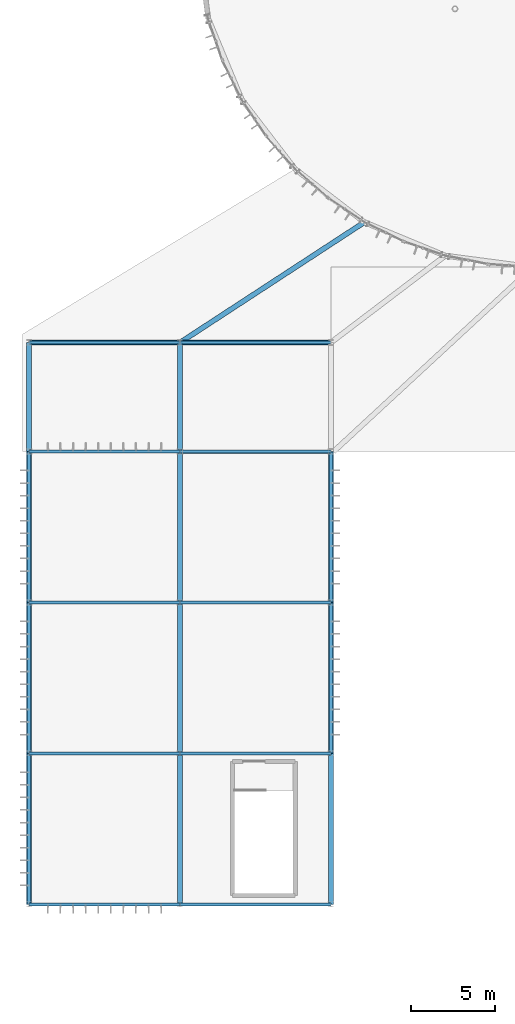
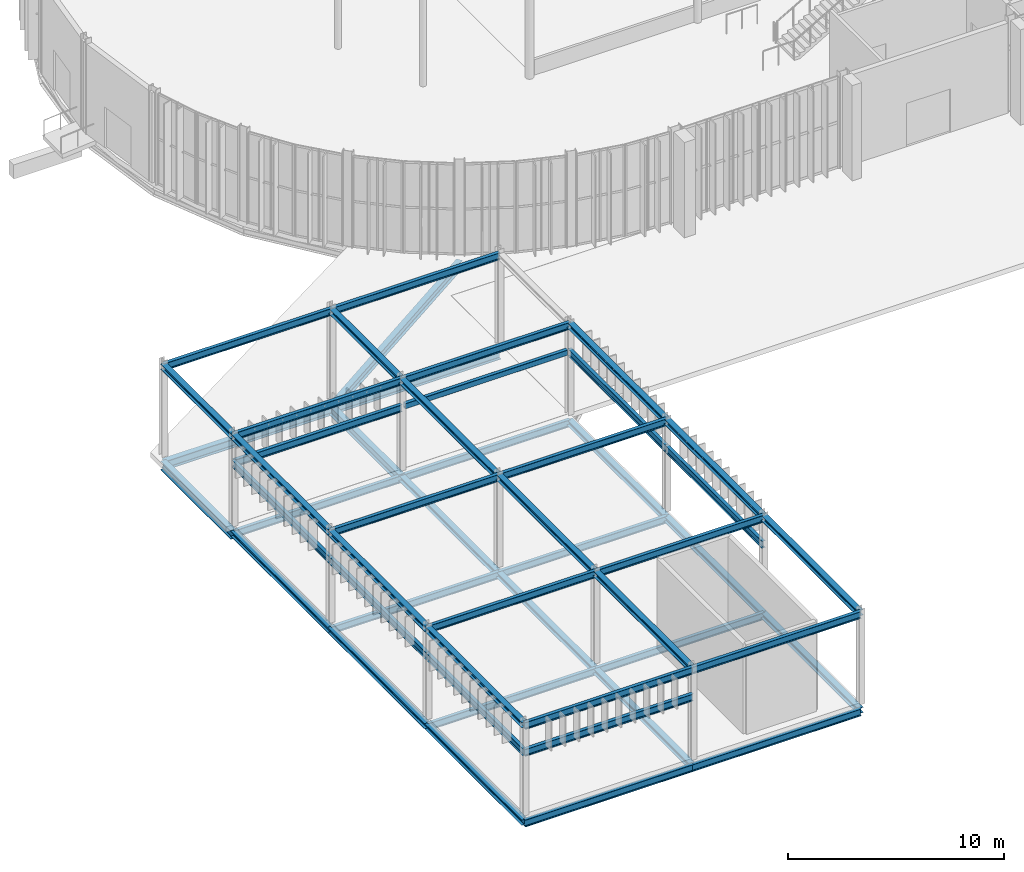
# One storey, part 29 of 158: 51 beams.
"""IFC4 building model written with IfcOpenShell, lengths in metres."""

from ifc_helpers import new_model, si_unit, derived_unit, direction, frame, origin, origin_2d, place, context, subcontext, project, spatial, hollow_rectangle, i_section, extrude, material, material_profile, profile_set, type_object, element, save


model = new_model("IFC4")

# Units and contexts
model_context = context("Model", 3, precision=1e-05, world=origin(), true_north=direction((0.0, 1.0)))
body_context = subcontext(model_context, "Body", "Model", "MODEL_VIEW")
ifc_project = project(units=[si_unit("LENGTHUNIT", "METRE"), si_unit("AREAUNIT", "SQUARE_METRE"), si_unit("VOLUMEUNIT", "CUBIC_METRE"), si_unit("PLANEANGLEUNIT", "RADIAN"), si_unit("MASSUNIT", "GRAM", prefix="KILO"), si_unit("THERMODYNAMICTEMPERATUREUNIT", "KELVIN"), si_unit("TIMEUNIT", "SECOND"), derived_unit("THERMALTRANSMITTANCEUNIT", [(si_unit("MASSUNIT", "GRAM", prefix="KILO"), 1), (si_unit("THERMODYNAMICTEMPERATUREUNIT", "KELVIN"), -1), (si_unit("TIMEUNIT", "SECOND"), -3)])], contexts=[model_context])

# Site, building, storey
site_placement = place(None, origin())
site = spatial("IfcSite", under=ifc_project, at=site_placement, CompositionType="ELEMENT")
building_placement = place(site_placement, origin())
building = spatial("IfcBuilding", under=site, at=building_placement, Name="Cambertide Market Hall", CompositionType="ELEMENT")
storey_placement = place(building_placement, origin())
storey = spatial("IfcBuildingStorey", under=building, at=storey_placement, Name="L01", CompositionType="ELEMENT", Elevation=0.0)

# Beams
ifc_material_1 = material(Name="Steel S355", Category="steel")
ifc_material_profile_1 = material_profile(ifc_material_1, i_section(OverallWidth=0.179931640625, OverallDepth=0.39990234375, WebThickness=0.008544921875, FlangeThickness=0.013427734375, FilletRadius=0.02099609375, at=origin_2d()), Name="IPE 400")
ifc_profile_set_1 = profile_set([ifc_material_profile_1], Name="Steel S355")
beam_type_1 = type_object("IfcBeamType", Name="Exterior Perimeter Spandrel Beam IPE 400", PredefinedType="SPANDREL", material=ifc_profile_set_1)
for number, where, z_axis, x_axis, name in (
    (1, (12.0, 14.0, 3.5), (1.0, 0.0, 0.0), (0.0, 1.0, 0.0), "Level 1 Spandrel BM-V2SW-FRZ-S1"),
    (2, (12.0, 41.0, 3.5), (1.0, 0.0, 0.0), (0.0, 1.0, 0.0), "Level 1 Spandrel BM-V2SW-FRZ-N1"),
    (3, (12.0, 14.0, 3.5), (0.0, 1.0, 0.0), (-1.0, 0.0, 0.0), "Level 1 Spandrel BM-V2SW-FRZ-W1"),
    (4, (12.0, 23.0, 3.5), (0.0, 1.0, 0.0), (-1.0, 0.0, 0.0), "Level 1 Spandrel BM-V2SW-FRZ-W2"),
    (5, (30.0, 23.0, 3.5), (0.0, 1.0, 0.0), (-1.0, 0.0, 0.0), "Level 1 Spandrel BM-V2SW-FRZ-E2"),
    (6, (12.0, 32.0, 3.5), (0.0, 1.0, 0.0), (-1.0, 0.0, 0.0), "Level 1 Spandrel BM-V2SW-FRZ-W3"),
    (7, (30.0, 32.0, 3.5), (0.0, 1.0, 0.0), (-1.0, 0.0, 0.0), "Level 1 Spandrel BM-V2SW-FRZ-E3"),
):
    element("IfcBeam", number, at=place(storey_placement, frame(where, z_axis=z_axis, x_axis=x_axis)), inside=storey, type_object=beam_type_1, Name=name, PredefinedType="SPANDREL", context=body_context, shape_type="SweptSolid", body=[
        extrude(i_section(OverallWidth=0.179931640625, OverallDepth=0.39990234375, WebThickness=0.008544921875, FlangeThickness=0.013427734375, FilletRadius=0.02099609375, at=origin_2d()), origin(), (0.0, 0.0, 1.0), 9.0),
    ])
ifc_material_2 = material(Name="Steel S355", Category="steel")
ifc_material_profile_2 = material_profile(ifc_material_2, i_section(OverallWidth=0.300048828125, OverallDepth=0.31005859375, WebThickness=0.009033203125, FlangeThickness=0.015380859375, FilletRadius=0.027099609375, at=origin_2d()), Name="HEA 320")
ifc_profile_set_2 = profile_set([ifc_material_profile_2], Name="Steel S355")
beam_type_2 = type_object("IfcBeamType", Name="Exterior Steel Girder HEA 320", PredefinedType="BEAM", material=ifc_profile_set_2)
for number, where, z_axis, x_axis, name in (
    (8, (12.0, 14.0, 5.06494140625), (0.0, 1.0, 0.0), (-1.0, 0.0, 0.0), "Level 1 Beam BM-V2SWY-RF-1-1"),
    (9, (12.0, 23.0, 5.06494140625), (0.0, 1.0, 0.0), (-1.0, 0.0, 0.0), "Level 1 Beam BM-V2SWY-RF-1-2"),
    (10, (12.0, 32.0, 5.06494140625), (0.0, 1.0, 0.0), (-1.0, 0.0, 0.0), "Level 1 Beam BM-V2SWY-RF-1-3"),
    (11, (21.0, 14.0, 5.06494140625), (0.0, 1.0, 0.0), (-1.0, 0.0, 0.0), "Level 1 Beam BM-V2SWY-RF-2-1"),
    (12, (21.0, 23.0, 5.06494140625), (0.0, 1.0, 0.0), (-1.0, 0.0, 0.0), "Level 1 Beam BM-V2SWY-RF-2-2"),
    (13, (21.0, 32.0, 5.06494140625), (0.0, 1.0, 0.0), (-1.0, 0.0, 0.0), "Level 1 Beam BM-V2SWY-RF-2-3"),
    (14, (30.0, 14.0, 5.06494140625), (0.0, 1.0, 0.0), (-1.0, 0.0, 0.0), "Level 1 Beam BM-V2SWY-RF-3-1"),
    (15, (30.0, 23.0, 5.06494140625), (0.0, 1.0, 0.0), (-1.0, 0.0, 0.0), "Level 1 Beam BM-V2SWY-RF-3-2"),
    (16, (30.0, 32.0, 5.06494140625), (0.0, 1.0, 0.0), (-1.0, 0.0, 0.0), "Level 1 Beam BM-V2SWY-RF-3-3"),
):
    element("IfcBeam", number, at=place(storey_placement, frame(where, z_axis=z_axis, x_axis=x_axis)), inside=storey, type_object=beam_type_2, Name=name, PredefinedType="BEAM", context=body_context, shape_type="SweptSolid", body=[
        extrude(i_section(OverallWidth=0.300048828125, OverallDepth=0.31005859375, WebThickness=0.009033203125, FlangeThickness=0.015380859375, FilletRadius=0.027099609375, at=origin_2d()), origin(), (0.0, 0.0, 1.0), 9.0),
    ])
for number, where, z_axis, x_axis, name in (
    (17, (12.0, 41.0, 5.06494140625), (0.0, 1.0, 0.0), (-1.0, 0.0, 0.0), "Level 1 Beam BM-LNKSW-RF-W1"),
    (18, (21.0, 41.0, 5.06494140625), (0.0, 1.0, 0.0), (-1.0, 0.0, 0.0), "Level 1 Beam BM-LNKSW-RF-M1"),
):
    element("IfcBeam", number, at=place(storey_placement, frame(where, z_axis=z_axis, x_axis=x_axis)), inside=storey, type_object=beam_type_2, Name=name, PredefinedType="BEAM", context=body_context, shape_type="SweptSolid", body=[
        extrude(i_section(OverallWidth=0.300048828125, OverallDepth=0.31005859375, WebThickness=0.009033203125, FlangeThickness=0.015380859375, FilletRadius=0.027099609375, at=origin_2d()), origin(), (0.0, 0.0, 1.0), 6.5),
    ])
ifc_material_3 = material(Name="Steel S355", Category="steel")
ifc_material_profile_3 = material_profile(ifc_material_3, i_section(OverallWidth=0.300048828125, OverallDepth=0.5, WebThickness=0.014404296875, FlangeThickness=0.028076171875, FilletRadius=0.027099609375, at=origin_2d()), Name="HEB 500")
ifc_profile_set_3 = profile_set([ifc_material_profile_3], Name="Steel S355")
beam_type_3 = type_object("IfcBeamType", Name="Exterior Steel Girder HEB 500", PredefinedType="BEAM", material=ifc_profile_set_3)
for number, where, z_axis, x_axis, name in (
    (19, (12.0, 41.0, -0.534912109375), (0.0, 1.0, 0.0), (-1.0, 0.0, 0.0), "Level 1 Beam TIE-V2SW-W1"),
    (20, (21.0, 41.0, -0.534912109375), (0.0, 1.0, 0.0), (-1.0, 0.0, 0.0), "Level 1 Beam TIE-V2SW-M1"),
):
    element("IfcBeam", number, at=place(storey_placement, frame(where, z_axis=z_axis, x_axis=x_axis)), inside=storey, type_object=beam_type_3, Name=name, PredefinedType="BEAM", context=body_context, shape_type="SweptSolid", body=[
        extrude(i_section(OverallWidth=0.300048828125, OverallDepth=0.5, WebThickness=0.014404296875, FlangeThickness=0.028076171875, FilletRadius=0.027099609375, at=origin_2d()), origin(), (0.0, 0.0, 1.0), 6.5),
    ])
for number, where, z_axis, x_axis, name in (
    (21, (12.0, 47.5, -0.534912109375), (1.0, 0.0, 0.0), (0.0, 1.0, 0.0), "Level 1 Beam TIE-V2SW-N1"),
    (22, (21.0, 47.5, -0.534912109375), (1.0, 0.0, 0.0), (0.0, 1.0, 0.0), "Level 1 Beam TIE-V2SW-N2"),
):
    element("IfcBeam", number, at=place(storey_placement, frame(where, z_axis=z_axis, x_axis=x_axis)), inside=storey, type_object=beam_type_3, Name=name, PredefinedType="BEAM", context=body_context, shape_type="SweptSolid", body=[
        extrude(i_section(OverallWidth=0.300048828125, OverallDepth=0.5, WebThickness=0.014404296875, FlangeThickness=0.028076171875, FilletRadius=0.027099609375, at=origin_2d()), origin(), (0.0, 0.0, 1.0), 9.0),
    ])
beam_1_placement = place(storey_placement, frame((21.0, 47.5, -0.534912109375), z_axis=(0.837417904412, 0.546563128441, 0.0), x_axis=(-0.546563128441, 0.837417904412, 0.0)))
element("IfcBeam", 23, at=beam_1_placement, inside=storey, type_object=beam_type_3, Name="Level 1 Beam TIE-V2SW-2B", PredefinedType="BEAM", context=body_context, shape_type="SweptSolid", body=[
    extrude(i_section(OverallWidth=0.300048828125, OverallDepth=0.5, WebThickness=0.014404296875, FlangeThickness=0.028076171875, FilletRadius=0.027099609375, at=origin_2d()), origin(), (0.0, 0.0, 1.0), 13.135498046875),
])
ifc_material_4 = material(Name="Steel S355", Category="steel")
ifc_material_profile_4 = material_profile(ifc_material_4, i_section(OverallWidth=0.179931640625, OverallDepth=0.39990234375, WebThickness=0.008544921875, FlangeThickness=0.013427734375, FilletRadius=0.02099609375, at=origin_2d()), Name="IPE 400")
ifc_profile_set_4 = profile_set([ifc_material_profile_4], Name="Steel S355")
beam_type_4 = type_object("IfcBeamType", Name="Exterior Steel Girder IPE 400", PredefinedType="BEAM", material=ifc_profile_set_4)
for number, where, z_axis, x_axis, name in (
    (24, (12.0, 14.0, 5.02001953125), (1.0, 0.0, 0.0), (0.0, 1.0, 0.0), "Level 1 Beam BM-V2SWX-RF-1-1"),
    (25, (12.0, 23.0, 5.02001953125), (1.0, 0.0, 0.0), (0.0, 1.0, 0.0), "Level 1 Beam BM-V2SWX-RF-1-2"),
    (26, (12.0, 32.0, 5.02001953125), (1.0, 0.0, 0.0), (0.0, 1.0, 0.0), "Level 1 Beam BM-V2SWX-RF-1-3"),
    (27, (12.0, 41.0, 5.02001953125), (1.0, 0.0, 0.0), (0.0, 1.0, 0.0), "Level 1 Beam BM-V2SWX-RF-1-4"),
    (28, (21.0, 14.0, 5.02001953125), (1.0, 0.0, 0.0), (0.0, 1.0, 0.0), "Level 1 Beam BM-V2SWX-RF-2-1"),
    (29, (21.0, 23.0, 5.02001953125), (1.0, 0.0, 0.0), (0.0, 1.0, 0.0), "Level 1 Beam BM-V2SWX-RF-2-2"),
    (30, (21.0, 32.0, 5.02001953125), (1.0, 0.0, 0.0), (0.0, 1.0, 0.0), "Level 1 Beam BM-V2SWX-RF-2-3"),
    (31, (21.0, 41.0, 5.02001953125), (1.0, 0.0, 0.0), (0.0, 1.0, 0.0), "Level 1 Beam BM-V2SWX-RF-2-4"),
    (32, (12.0, 47.5, 5.02001953125), (1.0, 0.0, 0.0), (0.0, 1.0, 0.0), "Level 1 Beam BM-LNKSW-RF-N1"),
    (33, (21.0, 47.5, 5.02001953125), (1.0, 0.0, 0.0), (0.0, 1.0, 0.0), "Level 1 Beam BM-LNKSW-RF-N2"),
):
    element("IfcBeam", number, at=place(storey_placement, frame(where, z_axis=z_axis, x_axis=x_axis)), inside=storey, type_object=beam_type_4, Name=name, PredefinedType="BEAM", context=body_context, shape_type="SweptSolid", body=[
        extrude(i_section(OverallWidth=0.179931640625, OverallDepth=0.39990234375, WebThickness=0.008544921875, FlangeThickness=0.013427734375, FilletRadius=0.02099609375, at=origin_2d()), origin(), (0.0, 0.0, 1.0), 9.0),
    ])
ifc_material_5 = material(Name="Steel S355", Category="steel")
ifc_material_profile_5 = material_profile(ifc_material_5, hollow_rectangle(XDim=0.199951171875, YDim=0.300048828125, WallThickness=0.010009765625, InnerFilletRadius=0.010009765625, OuterFilletRadius=0.02001953125, at=origin_2d()), Name="RHS 300x200x10")
ifc_profile_set_5 = profile_set([ifc_material_profile_5], Name="Steel S355")
beam_type_5 = type_object("IfcBeamType", Name="Perimeter Spandrel Beam RHS 300x200x10", PredefinedType="SPANDREL", material=ifc_profile_set_5)
beam_2_placement = place(storey_placement, frame((21.159912109375, 41.0, 3.550048828125), z_axis=(1.0, 0.0, 0.0), x_axis=(0.0, 1.0, 0.0)))
element("IfcBeam", 34, at=beam_2_placement, inside=storey, type_object=beam_type_5, Name="Level 1 Spandrel TRIM-SP-RHS-1", PredefinedType="SPANDREL", context=body_context, shape_type="SweptSolid", body=[
    extrude(hollow_rectangle(XDim=0.199951171875, YDim=0.300048828125, WallThickness=0.010009765625, InnerFilletRadius=0.010009765625, OuterFilletRadius=0.02001953125, at=origin_2d()), origin(), (0.0, 0.0, 1.0), 8.68017578125),
])
ifc_material_6 = material(Name="Steel S355", Category="steel")
ifc_material_profile_6 = material_profile(ifc_material_6, i_section(OverallWidth=0.300048828125, OverallDepth=0.31005859375, WebThickness=0.009033203125, FlangeThickness=0.015380859375, FilletRadius=0.027099609375, at=origin_2d()), Name="HEA 320")
ifc_profile_set_6 = profile_set([ifc_material_profile_6], Name="Steel S355")
beam_type_6 = type_object("IfcBeamType", Name="Steel Girder HEA 320", PredefinedType="BEAM", material=ifc_profile_set_6)
for number, where, z_axis, x_axis, name in (
    (35, (12.0, 14.0, -0.455078125), (0.0, 1.0, 0.0), (-1.0, 0.0, 0.0), "Level 1 Beam BM-V2SWY-FLR-1-1"),
    (36, (12.0, 23.0, -0.455078125), (0.0, 1.0, 0.0), (-1.0, 0.0, 0.0), "Level 1 Beam BM-V2SWY-FLR-1-2"),
    (37, (12.0, 32.0, -0.455078125), (0.0, 1.0, 0.0), (-1.0, 0.0, 0.0), "Level 1 Beam BM-V2SWY-FLR-1-3"),
    (38, (21.0, 14.0, -0.455078125), (0.0, 1.0, 0.0), (-1.0, 0.0, 0.0), "Level 1 Beam BM-V2SWY-FLR-2-1"),
    (39, (21.0, 23.0, -0.455078125), (0.0, 1.0, 0.0), (-1.0, 0.0, 0.0), "Level 1 Beam BM-V2SWY-FLR-2-2"),
    (40, (21.0, 32.0, -0.455078125), (0.0, 1.0, 0.0), (-1.0, 0.0, 0.0), "Level 1 Beam BM-V2SWY-FLR-2-3"),
    (41, (30.0, 14.0, -0.455078125), (0.0, 1.0, 0.0), (-1.0, 0.0, 0.0), "Level 1 Beam BM-V2SWY-FLR-3-1"),
    (42, (30.0, 23.0, -0.455078125), (0.0, 1.0, 0.0), (-1.0, 0.0, 0.0), "Level 1 Beam BM-V2SWY-FLR-3-2"),
    (43, (30.0, 32.0, -0.455078125), (0.0, 1.0, 0.0), (-1.0, 0.0, 0.0), "Level 1 Beam BM-V2SWY-FLR-3-3"),
):
    element("IfcBeam", number, at=place(storey_placement, frame(where, z_axis=z_axis, x_axis=x_axis)), inside=storey, type_object=beam_type_6, Name=name, PredefinedType="BEAM", context=body_context, shape_type="SweptSolid", body=[
        extrude(i_section(OverallWidth=0.300048828125, OverallDepth=0.31005859375, WebThickness=0.009033203125, FlangeThickness=0.015380859375, FilletRadius=0.027099609375, at=origin_2d()), origin(), (0.0, 0.0, 1.0), 9.0),
    ])
ifc_material_7 = material(Name="Steel S355", Category="steel")
ifc_material_profile_7 = material_profile(ifc_material_7, i_section(OverallWidth=0.179931640625, OverallDepth=0.39990234375, WebThickness=0.008544921875, FlangeThickness=0.013427734375, FilletRadius=0.02099609375, at=origin_2d()), Name="IPE 400")
ifc_profile_set_7 = profile_set([ifc_material_profile_7], Name="Steel S355")
beam_type_7 = type_object("IfcBeamType", Name="Steel Girder IPE 400", PredefinedType="BEAM", material=ifc_profile_set_7)
for number, where, z_axis, x_axis, name in (
    (44, (12.0, 14.0, -0.5), (1.0, 0.0, 0.0), (0.0, 1.0, 0.0), "Level 1 Beam BM-V2SWX-FLR-1-1"),
    (45, (12.0, 23.0, -0.5), (1.0, 0.0, 0.0), (0.0, 1.0, 0.0), "Level 1 Beam BM-V2SWX-FLR-1-2"),
    (46, (12.0, 32.0, -0.5), (1.0, 0.0, 0.0), (0.0, 1.0, 0.0), "Level 1 Beam BM-V2SWX-FLR-1-3"),
    (47, (12.0, 41.0, -0.5), (1.0, 0.0, 0.0), (0.0, 1.0, 0.0), "Level 1 Beam BM-V2SWX-FLR-1-4"),
    (48, (21.0, 14.0, -0.5), (1.0, 0.0, 0.0), (0.0, 1.0, 0.0), "Level 1 Beam BM-V2SWX-FLR-2-1"),
    (49, (21.0, 23.0, -0.5), (1.0, 0.0, 0.0), (0.0, 1.0, 0.0), "Level 1 Beam BM-V2SWX-FLR-2-2"),
    (50, (21.0, 32.0, -0.5), (1.0, 0.0, 0.0), (0.0, 1.0, 0.0), "Level 1 Beam BM-V2SWX-FLR-2-3"),
    (51, (21.0, 41.0, -0.5), (1.0, 0.0, 0.0), (0.0, 1.0, 0.0), "Level 1 Beam BM-V2SWX-FLR-2-4"),
):
    element("IfcBeam", number, at=place(storey_placement, frame(where, z_axis=z_axis, x_axis=x_axis)), inside=storey, type_object=beam_type_7, Name=name, PredefinedType="BEAM", context=body_context, shape_type="SweptSolid", body=[
        extrude(i_section(OverallWidth=0.179931640625, OverallDepth=0.39990234375, WebThickness=0.008544921875, FlangeThickness=0.013427734375, FilletRadius=0.02099609375, at=origin_2d()), origin(), (0.0, 0.0, 1.0), 9.0),
    ])

save(model, "model.ifc")
